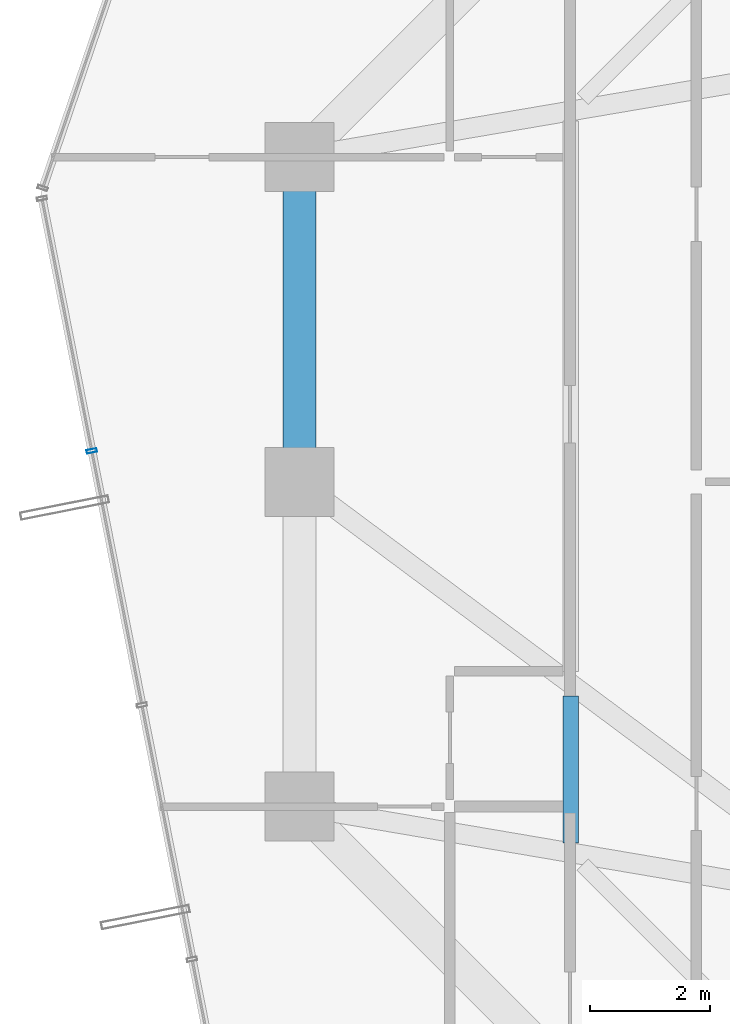
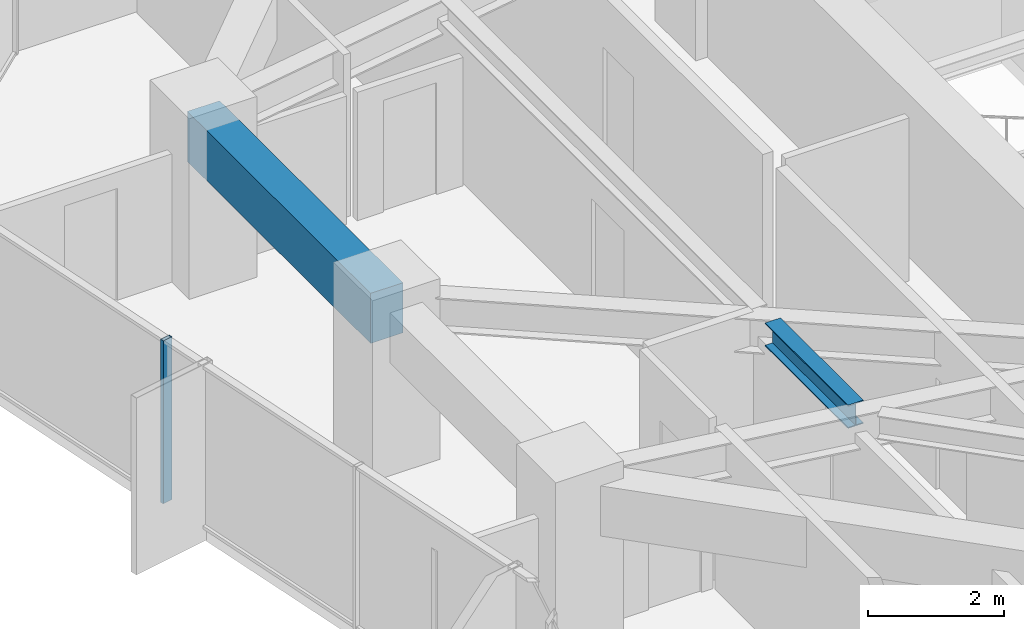
# One storey, part 11 of 36: 2 beams, 1 member, 1 element without a shape of its own.
"""IFC4 building model written with IfcOpenShell, lengths in metres."""

from ifc_helpers import new_model, si_unit, direction, frame, origin, origin_2d, place, context, subcontext, project, spatial, rectangle, hollow_rectangle, i_section, extrude, source, transform, mapped, material, layer, layer_set, material_profile, profile_set, type_object, element, aggregate, save


model = new_model("IFC4")

# Units and contexts
model_context = context("Model", 3, precision=1e-05, world=origin(), true_north=direction((0.0, 1.0)))
body_context = subcontext(model_context, "Body", "Model", "MODEL_VIEW")
ifc_project = project(units=[si_unit("LENGTHUNIT", "METRE"), si_unit("AREAUNIT", "SQUARE_METRE"), si_unit("VOLUMEUNIT", "CUBIC_METRE"), si_unit("PLANEANGLEUNIT", "RADIAN"), si_unit("MASSUNIT", "GRAM", prefix="KILO")], contexts=[model_context])

# Site, building, storey
site_placement = place(None, origin())
site = spatial("IfcSite", under=ifc_project, at=site_placement, CompositionType="ELEMENT")
building_placement = place(site_placement, origin())
building = spatial("IfcBuilding", under=site, at=building_placement, Name="Veraguas Prism Commons", CompositionType="ELEMENT")
storey_placement = place(building_placement, frame((0.0, 0.0, 166.300048828125)))
storey = spatial("IfcBuildingStorey", under=building, at=storey_placement, Name="L47", CompositionType="ELEMENT", Elevation=166.300048828125)

# Beams
ifc_material_1 = material(Name="Steel ASTM A992 Grade 50", Category="steel")
ifc_material_profile_1 = material_profile(ifc_material_1, i_section(OverallWidth=0.260986328125, OverallDepth=0.419921875, WebThickness=0.01171875, FlangeThickness=0.019287109375, at=origin_2d()), Name="W410X114")
ifc_profile_set_1 = profile_set([ifc_material_profile_1], Name="Steel ASTM A992 Grade 50")
beam_type_1 = type_object("IfcBeamType", Name="Lower Floor Joist W410x114", PredefinedType="JOIST", material=ifc_profile_set_1)
beam_1_placement = place(storey_placement, frame((12.31201171875, 20.43798828125, 2.719970703125), z_axis=(0.0, -1.0, 0.0), x_axis=(1.0, 0.0, 0.0)))
element("IfcBeam", 1, at=beam_1_placement, inside=storey, type_object=beam_type_1, Name="Composite Floor Joist L47-JS08", PredefinedType="JOIST", context=body_context, shape_type="SweptSolid", body=[
    extrude(i_section(OverallWidth=0.260986328125, OverallDepth=0.419921875, WebThickness=0.01171875, FlangeThickness=0.019287109375, at=origin_2d()), origin(), (0.0, 0.0, 1.0), 2.441650390625),
])
ifc_material_2 = material(Name="Concrete C50/60", Category="concrete")
ifc_material_profile_2 = material_profile(ifc_material_2, rectangle(XDim=0.550048828125, YDim=0.89990234375, at=origin_2d()), Name="RC550X900")
ifc_profile_set_2 = profile_set([ifc_material_profile_2], Name="Concrete C50/60")
beam_type_2 = type_object("IfcBeamType", Name="Perimeter Spandrel Lower RC 550x900", PredefinedType="SPANDREL", material=ifc_profile_set_2)
beam_2_placement = place(storey_placement, frame((7.800048828125, 29.39990234375, 2.47998046875), z_axis=(0.0, -1.0, 0.0), x_axis=(1.0, 0.0, 0.0)))
element("IfcBeam", 2, at=beam_2_placement, inside=storey, type_object=beam_type_2, Name="Perimeter Spandrel Beam L47-SP07", PredefinedType="SPANDREL", context=body_context, shape_type="SweptSolid", body=[
    extrude(rectangle(XDim=0.550048828125, YDim=0.89990234375, at=origin_2d()), origin(), (0.0, 0.0, 1.0), 5.39990234375),
])

# Curtain wall, member
ifc_material_3 = material(Name="Anodised aluminium EN AW-6063 T6", Category="aluminium")
ifc_layer = layer(ifc_material_3, 0.169921875, Name="Unitised Flush Curtain Wall Zone 2", Category="aluminium")
ifc_layer_set = layer_set([ifc_layer], Name="Anodised aluminium EN AW-6063 T6")
curtain_wall_type = type_object("IfcCurtainWallType", Name="Unitised Flush Curtain Wall Zone 2", PredefinedType="NOTDEFINED", material=ifc_layer_set)
curtain_wall_placement = place(storey_placement, origin())
curtain_wall = element("IfcCurtainWall", 3, at=curtain_wall_placement, inside=storey, type_object=curtain_wall_type, Name="Tower Facade Curtain Wall L47-F3", PredefinedType="NOTDEFINED")
ifc_material_profile_3 = material_profile(ifc_material_3, hollow_rectangle(XDim=0.06005859375, YDim=0.169921875, WallThickness=0.00390625, at=origin_2d()), Name="AL60X170X4")
ifc_profile_set_3 = profile_set([ifc_material_profile_3], Name="Anodised aluminium EN AW-6063 T6")
member_type = type_object("IfcMemberType", Name="Curtain Wall Mullion Lower AL 60x170x4", PredefinedType="MULLION", material=ifc_profile_set_3)
shared_shape = source(origin(), body_context, "Body", "SweptSolid", [
    extrude(hollow_rectangle(XDim=0.06005859375, YDim=0.169921875, WallThickness=0.00390625, at=origin_2d()), origin(), (0.0, 0.0, 1.0), 2.929931640625),
])
member_placement = place(storey_placement, frame((4.346435546875, 24.514404296875, 0.0), z_axis=(0.0, 0.0, 1.0), x_axis=(0.193549468051, -0.981090517443, 0.0)))
member = element("IfcMember", 4, at=member_placement, type_object=member_type, Name="CW-Z2 Mullion 2", PredefinedType="MULLION", context=body_context, shape_type="MappedRepresentation", body=[
    mapped(shared_shape, transform((0.0, 0.0, 0.0), scale=1.0)),
])
aggregate(curtain_wall, [member])

save(model, "model.ifc")
